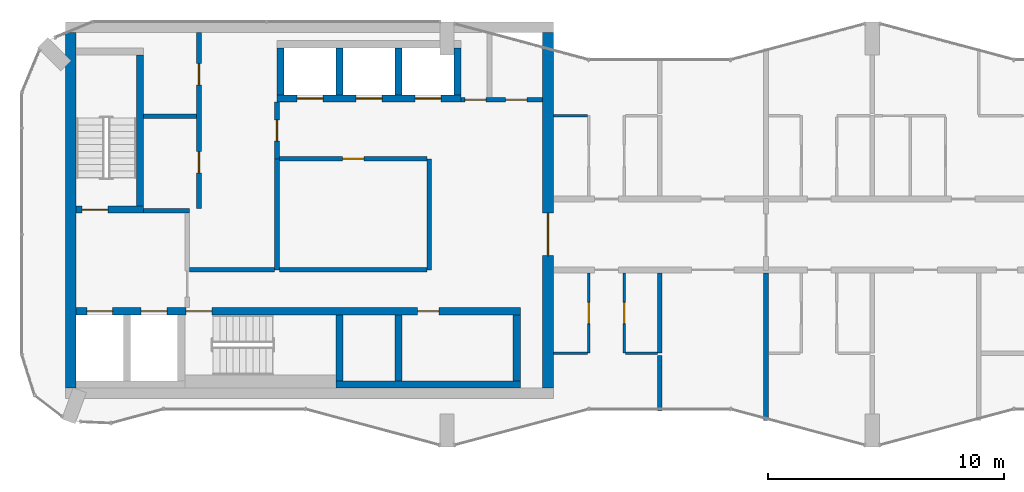
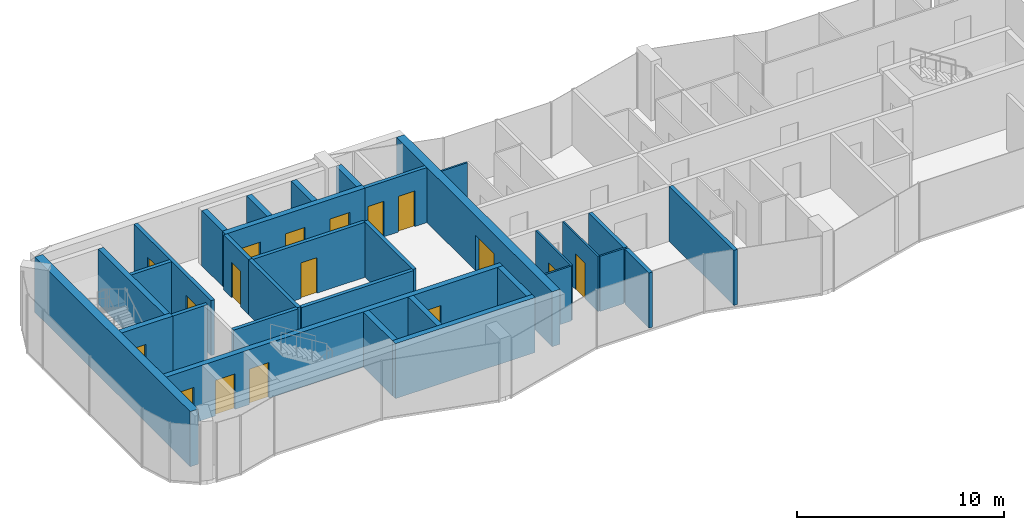
# One storey, part 7 of 10: 32 walls, 17 doors, 17 openings.
"""IFC4 building model written with IfcOpenShell, lengths in metres."""

from ifc_helpers import new_model, si_unit, direction, frame, frame_2d, origin, place, context, subcontext, project, spatial, rectangle, extrude, material, layer, layer_set, type_object, element, fill, save


model = new_model("IFC4")

# Units and contexts
model_context = context("Model", 3, precision=1e-05, world=origin(), true_north=direction((0.0, 1.0)))
body_context = subcontext(model_context, "Body", "Model", "MODEL_VIEW")
ifc_project = project(units=[si_unit("LENGTHUNIT", "METRE"), si_unit("AREAUNIT", "SQUARE_METRE"), si_unit("VOLUMEUNIT", "CUBIC_METRE"), si_unit("PLANEANGLEUNIT", "RADIAN"), si_unit("MASSUNIT", "GRAM", prefix="KILO")], contexts=[model_context])

# Site, building, storey
site_placement = place(None, origin())
site = spatial("IfcSite", under=ifc_project, at=site_placement, CompositionType="ELEMENT")
building_placement = place(site_placement, origin())
building = spatial("IfcBuilding", under=site, at=building_placement, Name="Plateau Cross Towers", CompositionType="ELEMENT")
storey_placement = place(building_placement, frame((0.0, 0.0, 256.39990234375)))
storey = spatial("IfcBuildingStorey", under=building, at=storey_placement, Name="L67", CompositionType="ELEMENT", Elevation=256.39990234375)

# Walls
ifc_material_1 = material(Name="Concrete block, plastered both sides", Category="concrete")
ifc_layer_1 = layer(ifc_material_1, 0.199951171875)
ifc_layer_set_1 = layer_set([ifc_layer_1], Name="Concrete block, plastered both sides")
wall_type_1 = type_object("IfcWallType", Name="Core partition 200", PredefinedType="PARTITIONING", material=ifc_layer_set_1)
wall_1_placement = place(storey_placement, frame((5.14990234375, 10.0, 0.0), z_axis=(0.0, 0.0, 1.0), x_axis=(1.0, 0.0, 0.0)))
element("IfcWall", 1, at=wall_1_placement, inside=storey, type_object=wall_type_1, Name="Core partition", PredefinedType="PARTITIONING", context=body_context, shape_type="SweptSolid", body=[
    extrude(rectangle(XDim=1.9501953125, YDim=0.199951171875, at=frame_2d((0.97509765625, 0.0))), origin(), (0.0, 0.0, 1.0), 3.25),
])
wall_2_placement = place(storey_placement, frame((7.10009765625, 7.5, 0.0), z_axis=(0.0, 0.0, 1.0), x_axis=(1.0, 0.0, 0.0)))
element("IfcWall", 2, at=wall_2_placement, inside=storey, type_object=wall_type_1, Name="Core partition", PredefinedType="PARTITIONING", context=body_context, shape_type="SweptSolid", body=[
    extrude(rectangle(XDim=3.599853515625, YDim=0.199951171875, at=frame_2d((1.7998046875, 0.0))), origin(), (0.0, 0.0, 1.0), 3.25),
])

# Wall, opening, door
wall_3_placement = place(storey_placement, frame((10.800048828125, 12.199951171875, 0.0), z_axis=(0.0, 0.0, 1.0), x_axis=(0.0, 1.0, 0.0)))
wall_3 = element("IfcWall", 3, at=wall_3_placement, inside=storey, type_object=wall_type_1, Name="Core partition", PredefinedType="PARTITIONING", context=body_context, shape_type="SweptSolid", body=[
    extrude(rectangle(XDim=2.400146484375, YDim=0.199951171875, at=frame_2d((1.2001953125, 0.0))), origin(), (0.0, 0.0, 1.0), 3.25),
])
opening_1_placement = place(wall_3_placement, frame((0.75, 0.0, 0.0)))
opening_1 = element("IfcOpeningElement", 4, at=opening_1_placement, cuts=wall_3, Name="Opening RD1", PredefinedType="OPENING", context=body_context, shape_type="SweptSolid", body=[
    extrude(rectangle(XDim=0.89990234375, YDim=2.10009765625, at=frame_2d((0.449951171875, 1.050048828125))), frame((0.0, 0.10986328125, 0.0), z_axis=(0.0, -1.0, 0.0), x_axis=(1.0, 0.0, 0.0)), (0.0, 0.0, 1.0), 0.219970703125),
])
ifc_material_2 = material(Name="Timber, fire-resisting leaf", Category="wood")
door_type_1 = type_object("IfcDoorType", Name="Core service door 900", OperationType="NOTDEFINED", PredefinedType="DOOR", material=ifc_material_2)
door_1_placement = place(opening_1_placement, origin())
door_1 = element("IfcDoor", 5, at=door_1_placement, inside=storey, type_object=door_type_1, Name="Core service door RD1", OperationType="SINGLE_SWING_LEFT", OverallHeight=2.10009765625, OverallWidth=0.89990234375, PredefinedType="DOOR", context=body_context, shape_type="SweptSolid", body=[
    extrude(rectangle(XDim=0.89990234375, YDim=2.10009765625, at=frame_2d((0.449951171875, 1.050048828125))), frame((0.0, 0.02490234375, 0.0), z_axis=(0.0, -1.0, 0.0), x_axis=(1.0, 0.0, 0.0)), (0.0, 0.0, 1.0), 0.050048828125),
])
fill(opening_1, door_1)

# Walls
wall_4_placement = place(storey_placement, frame((10.800048828125, 7.5, 0.0), z_axis=(0.0, 0.0, 1.0), x_axis=(0.0, 1.0, 0.0)))
element("IfcWall", 6, at=wall_4_placement, inside=storey, type_object=wall_type_1, Name="Core partition", PredefinedType="PARTITIONING", context=body_context, shape_type="SweptSolid", body=[
    extrude(rectangle(XDim=4.699951171875, YDim=0.199951171875, at=frame_2d((2.35009765625, 0.0))), origin(), (0.0, 0.0, 1.0), 3.25),
])
wall_5_placement = place(storey_placement, frame((10.89990234375, 7.5, 0.0), z_axis=(0.0, 0.0, 1.0), x_axis=(1.0, 0.0, 0.0)))
element("IfcWall", 7, at=wall_5_placement, inside=storey, type_object=wall_type_1, Name="Core partition", PredefinedType="PARTITIONING", context=body_context, shape_type="SweptSolid", body=[
    extrude(rectangle(XDim=6.25, YDim=0.199951171875, at=frame_2d((3.125, 0.0))), origin(), (0.0, 0.0, 1.0), 3.25),
])
wall_6_placement = place(storey_placement, frame((17.25, 7.5, 0.0), z_axis=(0.0, 0.0, 1.0), x_axis=(0.0, 1.0, 0.0)))
element("IfcWall", 8, at=wall_6_placement, inside=storey, type_object=wall_type_1, Name="Core partition", PredefinedType="PARTITIONING", context=body_context, shape_type="SweptSolid", body=[
    extrude(rectangle(XDim=4.699951171875, YDim=0.199951171875, at=frame_2d((2.35009765625, 0.0))), origin(), (0.0, 0.0, 1.0), 3.25),
])

# Wall, opening, door
wall_7_placement = place(storey_placement, frame((10.89990234375, 12.199951171875, 0.0), z_axis=(0.0, 0.0, 1.0), x_axis=(1.0, 0.0, 0.0)))
wall_7 = element("IfcWall", 9, at=wall_7_placement, inside=storey, type_object=wall_type_1, Name="Core partition", PredefinedType="PARTITIONING", context=body_context, shape_type="SweptSolid", body=[
    extrude(rectangle(XDim=6.25, YDim=0.199951171875, at=frame_2d((3.125, 0.0))), origin(), (0.0, 0.0, 1.0), 3.25),
])
opening_2_placement = place(wall_7_placement, frame((2.675048828125, 0.0, 0.0)))
opening_2 = element("IfcOpeningElement", 10, at=opening_2_placement, cuts=wall_7, Name="Opening RD1", PredefinedType="OPENING", context=body_context, shape_type="SweptSolid", body=[
    extrude(rectangle(XDim=0.89990234375, YDim=2.10009765625, at=frame_2d((0.449951171875, 1.050048828125))), frame((0.0, 0.10986328125, 0.0), z_axis=(0.0, -1.0, 0.0), x_axis=(1.0, 0.0, 0.0)), (0.0, 0.0, 1.0), 0.219970703125),
])
door_2_placement = place(opening_2_placement, origin())
door_2 = element("IfcDoor", 11, at=door_2_placement, inside=storey, type_object=door_type_1, Name="Core service door RD1", OperationType="SINGLE_SWING_LEFT", OverallHeight=2.10009765625, OverallWidth=0.89990234375, PredefinedType="DOOR", context=body_context, shape_type="SweptSolid", body=[
    extrude(rectangle(XDim=0.89990234375, YDim=2.10009765625, at=frame_2d((0.449951171875, 1.050048828125))), frame((0.0, 0.02490234375, 0.0), z_axis=(0.0, -1.0, 0.0), x_axis=(1.0, 0.0, 0.0)), (0.0, 0.0, 1.0), 0.050048828125),
])
fill(opening_2, door_2)

# Wall, openings, doors
wall_8_placement = place(storey_placement, frame((7.5, 10.10009765625, 0.0), z_axis=(0.0, 0.0, 1.0), x_axis=(0.0, 1.0, 0.0)))
wall_8 = element("IfcWall", 12, at=wall_8_placement, inside=storey, type_object=wall_type_1, Name="Core partition", PredefinedType="PARTITIONING", context=body_context, shape_type="SweptSolid", body=[
    extrude(rectangle(XDim=7.449951171875, YDim=0.199951171875, at=frame_2d((3.72509765625, 0.0))), origin(), (0.0, 0.0, 1.0), 3.25),
])
opening_3_placement = place(wall_8_placement, frame((1.5, 0.0, 0.0)))
opening_3 = element("IfcOpeningElement", 13, at=opening_3_placement, cuts=wall_8, Name="Opening RD1", PredefinedType="OPENING", context=body_context, shape_type="SweptSolid", body=[
    extrude(rectangle(XDim=0.89990234375, YDim=2.10009765625, at=frame_2d((0.449951171875, 1.050048828125))), frame((0.0, 0.10986328125, 0.0), z_axis=(0.0, -1.0, 0.0), x_axis=(1.0, 0.0, 0.0)), (0.0, 0.0, 1.0), 0.219970703125),
])
opening_4_placement = place(wall_8_placement, frame((5.22509765625, 0.0, 0.0)))
opening_4 = element("IfcOpeningElement", 14, at=opening_4_placement, cuts=wall_8, Name="Opening RD1", PredefinedType="OPENING", context=body_context, shape_type="SweptSolid", body=[
    extrude(rectangle(XDim=0.89990234375, YDim=2.10009765625, at=frame_2d((0.449951171875, 1.050048828125))), frame((0.0, 0.10986328125, 0.0), z_axis=(0.0, -1.0, 0.0), x_axis=(1.0, 0.0, 0.0)), (0.0, 0.0, 1.0), 0.219970703125),
])
door_3_placement = place(opening_3_placement, origin())
door_3 = element("IfcDoor", 15, at=door_3_placement, inside=storey, type_object=door_type_1, Name="Core service door RD1", OperationType="SINGLE_SWING_RIGHT", OverallHeight=2.10009765625, OverallWidth=0.89990234375, PredefinedType="DOOR", context=body_context, shape_type="SweptSolid", body=[
    extrude(rectangle(XDim=0.89990234375, YDim=2.10009765625, at=frame_2d((0.449951171875, 1.050048828125))), frame((0.0, 0.02490234375, 0.0), z_axis=(0.0, -1.0, 0.0), x_axis=(1.0, 0.0, 0.0)), (0.0, 0.0, 1.0), 0.050048828125),
])
fill(opening_3, door_3)
door_4_placement = place(opening_4_placement, origin())
door_4 = element("IfcDoor", 16, at=door_4_placement, inside=storey, type_object=door_type_1, Name="Core service door RD1", OperationType="SINGLE_SWING_RIGHT", OverallHeight=2.10009765625, OverallWidth=0.89990234375, PredefinedType="DOOR", context=body_context, shape_type="SweptSolid", body=[
    extrude(rectangle(XDim=0.89990234375, YDim=2.10009765625, at=frame_2d((0.449951171875, 1.050048828125))), frame((0.0, 0.02490234375, 0.0), z_axis=(0.0, -1.0, 0.0), x_axis=(1.0, 0.0, 0.0)), (0.0, 0.0, 1.0), 0.050048828125),
])
fill(opening_4, door_4)

# Wall
wall_9_placement = place(storey_placement, frame((5.14990234375, 14.0, 0.0), z_axis=(0.0, 0.0, 1.0), x_axis=(1.0, 0.0, 0.0)))
element("IfcWall", 17, at=wall_9_placement, inside=storey, type_object=wall_type_1, Name="Core partition", PredefinedType="PARTITIONING", context=body_context, shape_type="SweptSolid", body=[
    extrude(rectangle(XDim=2.25, YDim=0.199951171875, at=frame_2d((1.125, 0.0))), origin(), (0.0, 0.0, 1.0), 3.25),
])

# Wall, openings, doors
wall_10_placement = place(storey_placement, frame((18.60009765625, 14.699951171875, 0.0), z_axis=(0.0, 0.0, 1.0), x_axis=(1.0, 0.0, 0.0)))
wall_10 = element("IfcWall", 18, at=wall_10_placement, inside=storey, type_object=wall_type_1, Name="Core partition", PredefinedType="PARTITIONING", context=body_context, shape_type="SweptSolid", body=[
    extrude(rectangle(XDim=3.449951171875, YDim=0.199951171875, at=frame_2d((1.72509765625, 0.0))), origin(), (0.0, 0.0, 1.0), 3.25),
])
opening_5_placement = place(wall_10_placement, frame((0.14990234375, 0.0, 0.0)))
opening_5 = element("IfcOpeningElement", 19, at=opening_5_placement, cuts=wall_10, Name="Opening RD2", PredefinedType="OPENING", context=body_context, shape_type="SweptSolid", body=[
    extrude(rectangle(XDim=0.89990234375, YDim=2.10009765625, at=frame_2d((0.449951171875, 1.050048828125))), frame((0.0, 0.10986328125, 0.0), z_axis=(0.0, -1.0, 0.0), x_axis=(1.0, 0.0, 0.0)), (0.0, 0.0, 1.0), 0.219970703125),
])
opening_6_placement = place(wall_10_placement, frame((1.875, 0.0, 0.0)))
opening_6 = element("IfcOpeningElement", 20, at=opening_6_placement, cuts=wall_10, Name="Opening RD2", PredefinedType="OPENING", context=body_context, shape_type="SweptSolid", body=[
    extrude(rectangle(XDim=0.89990234375, YDim=2.10009765625, at=frame_2d((0.449951171875, 1.050048828125))), frame((0.0, 0.10986328125, 0.0), z_axis=(0.0, -1.0, 0.0), x_axis=(1.0, 0.0, 0.0)), (0.0, 0.0, 1.0), 0.219970703125),
])
ifc_material_3 = material(Name="Steel, fire-resisting leaf", Category="steel")
door_type_2 = type_object("IfcDoorType", Name="Core riser door 900", OperationType="NOTDEFINED", PredefinedType="DOOR", material=ifc_material_3)
door_5_placement = place(opening_5_placement, origin())
door_5 = element("IfcDoor", 21, at=door_5_placement, inside=storey, type_object=door_type_2, Name="Core riser door RD2", OperationType="SINGLE_SWING_LEFT", OverallHeight=2.10009765625, OverallWidth=0.89990234375, PredefinedType="DOOR", context=body_context, shape_type="SweptSolid", body=[
    extrude(rectangle(XDim=0.89990234375, YDim=2.10009765625, at=frame_2d((0.449951171875, 1.050048828125))), frame((0.0, 0.02490234375, 0.0), z_axis=(0.0, -1.0, 0.0), x_axis=(1.0, 0.0, 0.0)), (0.0, 0.0, 1.0), 0.050048828125),
])
fill(opening_5, door_5)
door_6_placement = place(opening_6_placement, origin())
door_6 = element("IfcDoor", 22, at=door_6_placement, inside=storey, type_object=door_type_2, Name="Core riser door RD2", OperationType="SINGLE_SWING_LEFT", OverallHeight=2.10009765625, OverallWidth=0.89990234375, PredefinedType="DOOR", context=body_context, shape_type="SweptSolid", body=[
    extrude(rectangle(XDim=0.89990234375, YDim=2.10009765625, at=frame_2d((0.449951171875, 1.050048828125))), frame((0.0, 0.02490234375, 0.0), z_axis=(0.0, -1.0, 0.0), x_axis=(1.0, 0.0, 0.0)), (0.0, 0.0, 1.0), 0.050048828125),
])
fill(opening_6, door_6)

# Walls
ifc_material_4 = material(Name="Concrete C60/75", Category="concrete")
ifc_layer_2 = layer(ifc_material_4, 0.300048828125)
ifc_layer_set_2 = layer_set([ifc_layer_2], Name="Concrete C60/75")
wall_type_2 = type_object("IfcWallType", Name="Core shaft wall 300", PredefinedType="SHEAR", material=ifc_layer_set_2)
wall_11_placement = place(storey_placement, frame((13.300048828125, 2.64990234375, 0.0), z_axis=(0.0, 0.0, 1.0), x_axis=(1.0, 0.0, 0.0)))
element("IfcWall", 23, at=wall_11_placement, inside=storey, type_object=wall_type_2, Name="A-sb-back3@L67", PredefinedType="SHEAR", context=body_context, shape_type="SweptSolid", body=[
    extrude(rectangle(XDim=7.800048828125, YDim=0.300048828125, at=frame_2d((3.89990234375, 0.0))), origin(), (0.0, 0.0, 1.0), 3.25),
])
for number, where, z_axis, x_axis, name in (
    (24, (13.449951171875, 2.800048828125, 0.0), (0.0, 0.0, 1.0), (0.0, 1.0, 0.0), "A-sb-v3@L67"),
    (25, (20.949951171875, 2.800048828125, 0.0), (0.0, 0.0, 1.0), (0.0, 1.0, 0.0), "A-sb-v6@L67"),
):
    element("IfcWall", number, at=place(storey_placement, frame(where, z_axis=z_axis, x_axis=x_axis)), inside=storey, type_object=wall_type_2, Name=name, PredefinedType="SHEAR", context=body_context, shape_type="SweptSolid", body=[
        extrude(rectangle(XDim=2.800048828125, YDim=0.300048828125, at=frame_2d((1.39990234375, 0.0))), origin(), (0.0, 0.0, 1.0), 3.25),
    ])

# Wall, openings, doors
wall_12_placement = place(storey_placement, frame((2.300048828125, 5.75, 0.0), z_axis=(0.0, 0.0, 1.0), x_axis=(1.0, 0.0, 0.0)))
wall_12 = element("IfcWall", 26, at=wall_12_placement, inside=storey, type_object=wall_type_2, Name="A-sb-front@L67", PredefinedType="SHEAR", context=body_context, shape_type="SweptSolid", body=[
    extrude(rectangle(XDim=18.800048828125, YDim=0.300048828125, at=frame_2d((9.39990234375, 0.0))), origin(), (0.0, 0.0, 1.0), 3.25),
])
opening_7_placement = place(wall_12_placement, frame((4.64990234375, 0.0, 0.0)))
opening_7 = element("IfcOpeningElement", 27, at=opening_7_placement, cuts=wall_12, Name="Opening SD", PredefinedType="OPENING", context=body_context, shape_type="SweptSolid", body=[
    extrude(rectangle(XDim=1.10009765625, YDim=2.10009765625, at=frame_2d((0.550048828125, 1.050048828125))), frame((0.0, 0.159912109375, 0.0), z_axis=(0.0, -1.0, 0.0), x_axis=(1.0, 0.0, 0.0)), (0.0, 0.0, 1.0), 0.320068359375),
])
opening_8_placement = place(wall_12_placement, frame((0.449951171875, 0.0, 0.0)))
opening_8 = element("IfcOpeningElement", 28, at=opening_8_placement, cuts=wall_12, Name="Opening LD", PredefinedType="OPENING", context=body_context, shape_type="SweptSolid", body=[
    extrude(rectangle(XDim=1.10009765625, YDim=2.10009765625, at=frame_2d((0.550048828125, 1.050048828125))), frame((0.0, 0.159912109375, 0.0), z_axis=(0.0, -1.0, 0.0), x_axis=(1.0, 0.0, 0.0)), (0.0, 0.0, 1.0), 0.320068359375),
])
opening_9_placement = place(wall_12_placement, frame((2.75, 0.0, 0.0)))
opening_9 = element("IfcOpeningElement", 29, at=opening_9_placement, cuts=wall_12, Name="Opening LD", PredefinedType="OPENING", context=body_context, shape_type="SweptSolid", body=[
    extrude(rectangle(XDim=1.10009765625, YDim=2.10009765625, at=frame_2d((0.550048828125, 1.050048828125))), frame((0.0, 0.159912109375, 0.0), z_axis=(0.0, -1.0, 0.0), x_axis=(1.0, 0.0, 0.0)), (0.0, 0.0, 1.0), 0.320068359375),
])
opening_10_placement = place(wall_12_placement, frame((14.449951171875, 0.0, 0.0)))
opening_10 = element("IfcOpeningElement", 30, at=opening_10_placement, cuts=wall_12, Name="Opening RD2", PredefinedType="OPENING", context=body_context, shape_type="SweptSolid", body=[
    extrude(rectangle(XDim=0.89990234375, YDim=2.10009765625, at=frame_2d((0.449951171875, 1.050048828125))), frame((0.0, 0.159912109375, 0.0), z_axis=(0.0, -1.0, 0.0), x_axis=(1.0, 0.0, 0.0)), (0.0, 0.0, 1.0), 0.320068359375),
])
door_7_placement = place(opening_10_placement, origin())
door_7 = element("IfcDoor", 31, at=door_7_placement, inside=storey, type_object=door_type_2, Name="Core riser door RD2", OperationType="SINGLE_SWING_LEFT", OverallHeight=2.10009765625, OverallWidth=0.89990234375, PredefinedType="DOOR", context=body_context, shape_type="SweptSolid", body=[
    extrude(rectangle(XDim=0.89990234375, YDim=2.10009765625, at=frame_2d((0.449951171875, 1.050048828125))), frame((0.0, 0.02490234375, 0.0), z_axis=(0.0, -1.0, 0.0), x_axis=(1.0, 0.0, 0.0)), (0.0, 0.0, 1.0), 0.050048828125),
])
fill(opening_10, door_7)
ifc_material_5 = material(Name="Stainless steel, fire-resisting sliding leaves", Category="steel")
door_type_3 = type_object("IfcDoorType", Name="Lift landing door 1100", OperationType="NOTDEFINED", PredefinedType="DOOR", material=ifc_material_5)
door_8_placement = place(opening_8_placement, origin())
door_8 = element("IfcDoor", 32, at=door_8_placement, inside=storey, type_object=door_type_3, Name="Lift landing door LD", OperationType="DOUBLE_DOOR_SLIDING", OverallHeight=2.10009765625, OverallWidth=1.10009765625, PredefinedType="DOOR", context=body_context, shape_type="SweptSolid", body=[
    extrude(rectangle(XDim=1.10009765625, YDim=2.10009765625, at=frame_2d((0.550048828125, 1.050048828125))), frame((0.0, 0.02490234375, 0.0), z_axis=(0.0, -1.0, 0.0), x_axis=(1.0, 0.0, 0.0)), (0.0, 0.0, 1.0), 0.050048828125),
])
fill(opening_8, door_8)
door_9_placement = place(opening_9_placement, origin())
door_9 = element("IfcDoor", 33, at=door_9_placement, inside=storey, type_object=door_type_3, Name="Lift landing door LD", OperationType="DOUBLE_DOOR_SLIDING", OverallHeight=2.10009765625, OverallWidth=1.10009765625, PredefinedType="DOOR", context=body_context, shape_type="SweptSolid", body=[
    extrude(rectangle(XDim=1.10009765625, YDim=2.10009765625, at=frame_2d((0.550048828125, 1.050048828125))), frame((0.0, 0.02490234375, 0.0), z_axis=(0.0, -1.0, 0.0), x_axis=(1.0, 0.0, 0.0)), (0.0, 0.0, 1.0), 0.050048828125),
])
fill(opening_9, door_9)
door_type_4 = type_object("IfcDoorType", Name="Stair door 1100", OperationType="NOTDEFINED", PredefinedType="DOOR", material=ifc_material_3)
door_10_placement = place(opening_7_placement, origin())
door_10 = element("IfcDoor", 34, at=door_10_placement, inside=storey, type_object=door_type_4, Name="Stair door SD", OperationType="SINGLE_SWING_LEFT", OverallHeight=2.10009765625, OverallWidth=1.10009765625, PredefinedType="DOOR", context=body_context, shape_type="SweptSolid", body=[
    extrude(rectangle(XDim=1.10009765625, YDim=2.10009765625, at=frame_2d((0.550048828125, 1.050048828125))), frame((0.0, 0.02490234375, 0.0), z_axis=(0.0, -1.0, 0.0), x_axis=(1.0, 0.0, 0.0)), (0.0, 0.0, 1.0), 0.050048828125),
])
fill(opening_7, door_10)

# Wall, opening, door
wall_13_placement = place(storey_placement, frame((2.300048828125, 10.050048828125, 0.0), z_axis=(0.0, 0.0, 1.0), x_axis=(1.0, 0.0, 0.0)))
wall_13 = element("IfcWall", 35, at=wall_13_placement, inside=storey, type_object=wall_type_2, Name="A-st1-S@L67", PredefinedType="SHEAR", context=body_context, shape_type="SweptSolid", body=[
    extrude(rectangle(XDim=2.849853515625, YDim=0.300048828125, at=frame_2d((1.4248046875, 0.0))), origin(), (0.0, 0.0, 1.0), 3.25),
])
opening_11_placement = place(wall_13_placement, frame((0.25, 0.0, 0.0)))
opening_11 = element("IfcOpeningElement", 36, at=opening_11_placement, cuts=wall_13, Name="Opening SD", PredefinedType="OPENING", context=body_context, shape_type="SweptSolid", body=[
    extrude(rectangle(XDim=1.10009765625, YDim=2.10009765625, at=frame_2d((0.550048828125, 1.050048828125))), frame((0.0, 0.159912109375, 0.0), z_axis=(0.0, -1.0, 0.0), x_axis=(1.0, 0.0, 0.0)), (0.0, 0.0, 1.0), 0.320068359375),
])
door_11_placement = place(opening_11_placement, origin())
door_11 = element("IfcDoor", 37, at=door_11_placement, inside=storey, type_object=door_type_4, Name="Stair door SD", OperationType="SINGLE_SWING_RIGHT", OverallHeight=2.10009765625, OverallWidth=1.10009765625, PredefinedType="DOOR", context=body_context, shape_type="SweptSolid", body=[
    extrude(rectangle(XDim=1.10009765625, YDim=2.10009765625, at=frame_2d((0.550048828125, 1.050048828125))), frame((0.0, 0.02490234375, 0.0), z_axis=(0.0, -1.0, 0.0), x_axis=(1.0, 0.0, 0.0)), (0.0, 0.0, 1.0), 0.050048828125),
])
fill(opening_11, door_11)

# Wall
wall_14_placement = place(storey_placement, frame((5.0, 10.199951171875, 0.0), z_axis=(0.0, 0.0, 1.0), x_axis=(0.0, 1.0, 0.0)))
element("IfcWall", 38, at=wall_14_placement, inside=storey, type_object=wall_type_2, Name="A-st1-E@L67", PredefinedType="SHEAR", context=body_context, shape_type="SweptSolid", body=[
    extrude(rectangle(XDim=6.400146484375, YDim=0.300048828125, at=frame_2d((3.2001953125, 0.0))), origin(), (0.0, 0.0, 1.0), 3.25),
])

# Wall, openings, doors
wall_15_placement = place(storey_placement, frame((10.800048828125, 14.75, 0.0), z_axis=(0.0, 0.0, 1.0), x_axis=(1.0, 0.0, 0.0)))
wall_15 = element("IfcWall", 39, at=wall_15_placement, inside=storey, type_object=wall_type_2, Name="A-nb-front@L67", PredefinedType="SHEAR", context=body_context, shape_type="SweptSolid", body=[
    extrude(rectangle(XDim=7.800048828125, YDim=0.300048828125, at=frame_2d((3.89990234375, 0.0))), origin(), (0.0, 0.0, 1.0), 3.25),
])
opening_12_placement = place(wall_15_placement, frame((0.85009765625, 0.0, 0.0)))
opening_12 = element("IfcOpeningElement", 40, at=opening_12_placement, cuts=wall_15, Name="Opening LD", PredefinedType="OPENING", context=body_context, shape_type="SweptSolid", body=[
    extrude(rectangle(XDim=1.10009765625, YDim=2.10009765625, at=frame_2d((0.550048828125, 1.050048828125))), frame((0.0, 0.159912109375, 0.0), z_axis=(0.0, -1.0, 0.0), x_axis=(1.0, 0.0, 0.0)), (0.0, 0.0, 1.0), 0.320068359375),
])
opening_13_placement = place(wall_15_placement, frame((3.35009765625, 0.0, 0.0)))
opening_13 = element("IfcOpeningElement", 41, at=opening_13_placement, cuts=wall_15, Name="Opening LD", PredefinedType="OPENING", context=body_context, shape_type="SweptSolid", body=[
    extrude(rectangle(XDim=1.10009765625, YDim=2.10009765625, at=frame_2d((0.550048828125, 1.050048828125))), frame((0.0, 0.159912109375, 0.0), z_axis=(0.0, -1.0, 0.0), x_axis=(1.0, 0.0, 0.0)), (0.0, 0.0, 1.0), 0.320068359375),
])
opening_14_placement = place(wall_15_placement, frame((5.85009765625, 0.0, 0.0)))
opening_14 = element("IfcOpeningElement", 42, at=opening_14_placement, cuts=wall_15, Name="Opening LD", PredefinedType="OPENING", context=body_context, shape_type="SweptSolid", body=[
    extrude(rectangle(XDim=1.10009765625, YDim=2.10009765625, at=frame_2d((0.550048828125, 1.050048828125))), frame((0.0, 0.159912109375, 0.0), z_axis=(0.0, -1.0, 0.0), x_axis=(1.0, 0.0, 0.0)), (0.0, 0.0, 1.0), 0.320068359375),
])
door_12_placement = place(opening_12_placement, origin())
door_12 = element("IfcDoor", 43, at=door_12_placement, inside=storey, type_object=door_type_3, Name="Lift landing door LD", OperationType="DOUBLE_DOOR_SLIDING", OverallHeight=2.10009765625, OverallWidth=1.10009765625, PredefinedType="DOOR", context=body_context, shape_type="SweptSolid", body=[
    extrude(rectangle(XDim=1.10009765625, YDim=2.10009765625, at=frame_2d((0.550048828125, 1.050048828125))), frame((0.0, 0.02490234375, 0.0), z_axis=(0.0, -1.0, 0.0), x_axis=(1.0, 0.0, 0.0)), (0.0, 0.0, 1.0), 0.050048828125),
])
fill(opening_12, door_12)
door_13_placement = place(opening_13_placement, origin())
door_13 = element("IfcDoor", 44, at=door_13_placement, inside=storey, type_object=door_type_3, Name="Lift landing door LD", OperationType="DOUBLE_DOOR_SLIDING", OverallHeight=2.10009765625, OverallWidth=1.10009765625, PredefinedType="DOOR", context=body_context, shape_type="SweptSolid", body=[
    extrude(rectangle(XDim=1.10009765625, YDim=2.10009765625, at=frame_2d((0.550048828125, 1.050048828125))), frame((0.0, 0.02490234375, 0.0), z_axis=(0.0, -1.0, 0.0), x_axis=(1.0, 0.0, 0.0)), (0.0, 0.0, 1.0), 0.050048828125),
])
fill(opening_13, door_13)
door_14_placement = place(opening_14_placement, origin())
door_14 = element("IfcDoor", 45, at=door_14_placement, inside=storey, type_object=door_type_3, Name="Lift landing door LD", OperationType="DOUBLE_DOOR_SLIDING", OverallHeight=2.10009765625, OverallWidth=1.10009765625, PredefinedType="DOOR", context=body_context, shape_type="SweptSolid", body=[
    extrude(rectangle(XDim=1.10009765625, YDim=2.10009765625, at=frame_2d((0.550048828125, 1.050048828125))), frame((0.0, 0.02490234375, 0.0), z_axis=(0.0, -1.0, 0.0), x_axis=(1.0, 0.0, 0.0)), (0.0, 0.0, 1.0), 0.050048828125),
])
fill(opening_14, door_14)

# Walls
for number, where, z_axis, x_axis, name in (
    (46, (10.949951171875, 14.89990234375, 0.0), (0.0, 0.0, 1.0), (0.0, 1.0, 0.0), "A-nb-v1@L67"),
    (47, (13.449951171875, 14.89990234375, 0.0), (0.0, 0.0, 1.0), (0.0, 1.0, 0.0), "A-nb-v2@L67"),
    (48, (15.949951171875, 14.89990234375, 0.0), (0.0, 0.0, 1.0), (0.0, 1.0, 0.0), "A-nb-v3@L67"),
    (49, (18.449951171875, 14.89990234375, 0.0), (0.0, 0.0, 1.0), (0.0, 1.0, 0.0), "A-nb-v4@L67"),
):
    element("IfcWall", number, at=place(storey_placement, frame(where, z_axis=z_axis, x_axis=x_axis)), inside=storey, type_object=wall_type_2, Name=name, PredefinedType="SHEAR", context=body_context, shape_type="SweptSolid", body=[
        extrude(rectangle(XDim=2.0, YDim=0.300048828125, at=frame_2d((1.0, 0.0))), origin(), (0.0, 0.0, 1.0), 3.25),
    ])
wall_16_placement = place(storey_placement, frame((15.949951171875, 2.800048828125, 0.0), z_axis=(0.0, 0.0, 1.0), x_axis=(0.0, 1.0, 0.0)))
element("IfcWall", 50, at=wall_16_placement, inside=storey, type_object=wall_type_2, Name="A-sb-v4@L68", PredefinedType="SHEAR", context=body_context, shape_type="SweptSolid", body=[
    extrude(rectangle(XDim=2.800048828125, YDim=0.300048828125, at=frame_2d((1.39990234375, 0.0))), origin(), (0.0, 0.0, 1.0), 3.25),
])
ifc_layer_3 = layer(ifc_material_4, 0.449951171875)
ifc_layer_set_3 = layer_set([ifc_layer_3], Name="Concrete C60/75")
wall_type_3 = type_object("IfcWallType", Name="Core shell wall 450", PredefinedType="SHEAR", material=ifc_layer_set_3)
wall_17_placement = place(storey_placement, frame((2.074951171875, 2.5, 0.0), z_axis=(0.0, 0.0, 1.0), x_axis=(0.0, 1.0, 0.0)))
element("IfcWall", 51, at=wall_17_placement, inside=storey, type_object=wall_type_3, Name="A-core-W@L67", PredefinedType="SHEAR", context=body_context, shape_type="SweptSolid", body=[
    extrude(rectangle(XDim=15.050048828125, YDim=0.449951171875, at=frame_2d((7.52490234375, 0.0))), origin(), (0.0, 0.0, 1.0), 3.25),
])

# Wall, opening, door
wall_18_placement = place(storey_placement, frame((22.27490234375, 2.5, 0.0), z_axis=(0.0, 0.0, 1.0), x_axis=(0.0, 1.0, 0.0)))
wall_18 = element("IfcWall", 52, at=wall_18_placement, inside=storey, type_object=wall_type_3, Name="A-core-E@L67", PredefinedType="SHEAR", context=body_context, shape_type="SweptSolid", body=[
    extrude(rectangle(XDim=15.050048828125, YDim=0.449951171875, at=frame_2d((7.52490234375, 0.0))), origin(), (0.0, 0.0, 1.0), 3.25),
])
opening_15_placement = place(wall_18_placement, frame((5.60009765625, 0.0, 0.0)))
opening_15 = element("IfcOpeningElement", 53, at=opening_15_placement, cuts=wall_18, Name="Opening CD", PredefinedType="OPENING", context=body_context, shape_type="SweptSolid", body=[
    extrude(rectangle(XDim=1.800048828125, YDim=2.10009765625, at=frame_2d((0.89990234375, 1.050048828125))), frame((0.0, 0.23486328125, 0.0), z_axis=(0.0, -1.0, 0.0), x_axis=(1.0, 0.0, 0.0)), (0.0, 0.0, 1.0), 0.469970703125),
])
ifc_material_6 = material(Name="Steel, fire-resisting leaves", Category="steel")
door_type_5 = type_object("IfcDoorType", Name="Corridor door pair 1800", OperationType="NOTDEFINED", PredefinedType="DOOR", material=ifc_material_6)
door_15_placement = place(opening_15_placement, origin())
door_15 = element("IfcDoor", 54, at=door_15_placement, inside=storey, type_object=door_type_5, Name="Corridor door pair CD", OperationType="DOUBLE_DOOR_SINGLE_SWING", OverallHeight=2.10009765625, OverallWidth=1.800048828125, PredefinedType="DOOR", context=body_context, shape_type="SweptSolid", body=[
    extrude(rectangle(XDim=1.800048828125, YDim=2.10009765625, at=frame_2d((0.89990234375, 1.050048828125))), frame((0.0, 0.02490234375, 0.0), z_axis=(0.0, -1.0, 0.0), x_axis=(1.0, 0.0, 0.0)), (0.0, 0.0, 1.0), 0.050048828125),
])
fill(opening_15, door_15)

# Walls
ifc_material_7 = material(Name="Gypsum board on steel studs", Category="steel")
ifc_layer_4 = layer(ifc_material_7, 0.10009765625)
ifc_layer_set_4 = layer_set([ifc_layer_4], Name="Gypsum board on steel studs")
wall_type_4 = type_object("IfcWallType", Name="Flat partition 100", PredefinedType="PARTITIONING", material=ifc_layer_set_4)
wall_19_placement = place(storey_placement, frame((22.5, 3.97509765625, 0.0), z_axis=(0.0, 0.0, 1.0), x_axis=(1.0, 0.0, 0.0)))
element("IfcWall", 55, at=wall_19_placement, inside=storey, type_object=wall_type_4, Name="Partition wall", PredefinedType="PARTITIONING", context=body_context, shape_type="SweptSolid", body=[
    extrude(rectangle(XDim=1.449951171875, YDim=0.10009765625, at=frame_2d((0.72509765625, 0.0))), origin(), (0.0, 0.0, 1.0), 3.25),
])
wall_20_placement = place(storey_placement, frame((25.550048828125, 3.97509765625, 0.0), z_axis=(0.0, 0.0, 1.0), x_axis=(1.0, 0.0, 0.0)))
element("IfcWall", 56, at=wall_20_placement, inside=storey, type_object=wall_type_4, Name="Partition wall", PredefinedType="PARTITIONING", context=body_context, shape_type="SweptSolid", body=[
    extrude(rectangle(XDim=1.349853515625, YDim=0.10009765625, at=frame_2d((0.6748046875, 0.0))), origin(), (0.0, 0.0, 1.0), 3.25),
])
wall_21_placement = place(storey_placement, frame((23.949951171875, 14.02490234375, 0.0), z_axis=(0.0, 0.0, 1.0), x_axis=(-1.0, 0.0, 0.0)))
element("IfcWall", 57, at=wall_21_placement, inside=storey, type_object=wall_type_4, Name="Partition wall", PredefinedType="PARTITIONING", context=body_context, shape_type="SweptSolid", body=[
    extrude(rectangle(XDim=1.449951171875, YDim=0.10009765625, at=frame_2d((0.72509765625, 0.0))), origin(), (0.0, 0.0, 1.0), 3.25),
])

# Wall, opening, door
wall_22_placement = place(storey_placement, frame((24.0, 3.97509765625, 0.0), z_axis=(0.0, 0.0, 1.0), x_axis=(0.0, 1.0, 0.0)))
wall_22 = element("IfcWall", 58, at=wall_22_placement, inside=storey, type_object=wall_type_4, Name="Partition wall", PredefinedType="PARTITIONING", context=body_context, shape_type="SweptSolid", body=[
    extrude(rectangle(XDim=3.39990234375, YDim=0.10009765625, at=frame_2d((1.699951171875, 0.0))), origin(), (0.0, 0.0, 1.0), 3.25),
])
opening_16_placement = place(wall_22_placement, frame((1.25, 0.0, 0.0)))
opening_16 = element("IfcOpeningElement", 59, at=opening_16_placement, cuts=wall_22, Name="Opening 67-13", PredefinedType="OPENING", context=body_context, shape_type="SweptSolid", body=[
    extrude(rectangle(XDim=0.89990234375, YDim=2.10009765625, at=frame_2d((0.449951171875, 1.050048828125))), frame((0.0, 0.06005859375, 0.0), z_axis=(0.0, -1.0, 0.0), x_axis=(1.0, 0.0, 0.0)), (0.0, 0.0, 1.0), 0.1201171875),
])
ifc_material_8 = material(Name="Timber leaf", Category="wood")
door_type_6 = type_object("IfcDoorType", Name="Flat room door 900", OperationType="NOTDEFINED", PredefinedType="DOOR", material=ifc_material_8)
door_16_placement = place(opening_16_placement, origin())
door_16 = element("IfcDoor", 60, at=door_16_placement, inside=storey, type_object=door_type_6, Name="Door 67-13", OperationType="SINGLE_SWING_LEFT", OverallHeight=2.10009765625, OverallWidth=0.89990234375, PredefinedType="DOOR", context=body_context, shape_type="SweptSolid", body=[
    extrude(rectangle(XDim=0.89990234375, YDim=2.10009765625, at=frame_2d((0.449951171875, 1.050048828125))), frame((0.0, 0.02490234375, 0.0), z_axis=(0.0, -1.0, 0.0), x_axis=(1.0, 0.0, 0.0)), (0.0, 0.0, 1.0), 0.050048828125),
])
fill(opening_16, door_16)

wall_23_placement = place(storey_placement, frame((25.5, 7.375, 0.0), z_axis=(0.0, 0.0, 1.0), x_axis=(0.0, -1.0, 0.0)))
wall_23 = element("IfcWall", 61, at=wall_23_placement, inside=storey, type_object=wall_type_4, Name="Partition wall", PredefinedType="PARTITIONING", context=body_context, shape_type="SweptSolid", body=[
    extrude(rectangle(XDim=3.39990234375, YDim=0.10009765625, at=frame_2d((1.699951171875, 0.0))), origin(), (0.0, 0.0, 1.0), 3.25),
])
opening_17_placement = place(wall_23_placement, frame((1.25, 0.0, 0.0)))
opening_17 = element("IfcOpeningElement", 62, at=opening_17_placement, cuts=wall_23, Name="Opening 67-14", PredefinedType="OPENING", context=body_context, shape_type="SweptSolid", body=[
    extrude(rectangle(XDim=0.89990234375, YDim=2.10009765625, at=frame_2d((0.449951171875, 1.050048828125))), frame((0.0, 0.06005859375, 0.0), z_axis=(0.0, -1.0, 0.0), x_axis=(1.0, 0.0, 0.0)), (0.0, 0.0, 1.0), 0.1201171875),
])
door_17_placement = place(opening_17_placement, origin())
door_17 = element("IfcDoor", 63, at=door_17_placement, inside=storey, type_object=door_type_6, Name="Door 67-14", OperationType="SINGLE_SWING_LEFT", OverallHeight=2.10009765625, OverallWidth=0.89990234375, PredefinedType="DOOR", context=body_context, shape_type="SweptSolid", body=[
    extrude(rectangle(XDim=0.89990234375, YDim=2.10009765625, at=frame_2d((0.449951171875, 1.050048828125))), frame((0.0, 0.02490234375, 0.0), z_axis=(0.0, -1.0, 0.0), x_axis=(1.0, 0.0, 0.0)), (0.0, 0.0, 1.0), 0.050048828125),
])
fill(opening_17, door_17)

# Walls
ifc_material_9 = material(Name="Gypsum board on steel studs, two layers each side", Category="steel")
ifc_layer_5 = layer(ifc_material_9, 0.199951171875)
ifc_layer_set_5 = layer_set([ifc_layer_5], Name="Gypsum board on steel studs, two layers each side")
wall_type_5 = type_object("IfcWallType", Name="Flat party wall 200", PredefinedType="PARTITIONING", material=ifc_layer_set_5)
wall_24_placement = place(storey_placement, frame((27.0, 3.875, 0.0), z_axis=(0.0, 0.0, 1.0), x_axis=(0.0, -1.0, 0.0)))
element("IfcWall", 64, at=wall_24_placement, inside=storey, type_object=wall_type_5, Name="Party wall", PredefinedType="PARTITIONING", context=body_context, shape_type="SweptSolid", body=[
    extrude(rectangle(XDim=2.34814453125, YDim=0.199951171875, at=frame_2d((1.174072265625, 0.0))), origin(), (0.0, 0.0, 1.0), 3.25),
])
wall_25_placement = place(storey_placement, frame((27.0, 3.97509765625, 0.0), z_axis=(0.0, 0.0, 1.0), x_axis=(0.0, 1.0, 0.0)))
element("IfcWall", 65, at=wall_25_placement, inside=storey, type_object=wall_type_5, Name="Party wall", PredefinedType="PARTITIONING", context=body_context, shape_type="SweptSolid", body=[
    extrude(rectangle(XDim=3.39990234375, YDim=0.199951171875, at=frame_2d((1.699951171875, 0.0))), origin(), (0.0, 0.0, 1.0), 3.25),
])
wall_26_placement = place(storey_placement, frame((31.5, 1.122314453125, 0.0), z_axis=(0.0, 0.0, 1.0), x_axis=(0.0, 1.0, 0.0)))
element("IfcWall", 66, at=wall_26_placement, inside=storey, type_object=wall_type_5, Name="Party wall", PredefinedType="PARTITIONING", context=body_context, shape_type="SweptSolid", body=[
    extrude(rectangle(XDim=6.252685546875, YDim=0.199951171875, at=frame_2d((3.12646484375, 0.0))), origin(), (0.0, 0.0, 1.0), 3.25),
])

save(model, "model.ifc")
